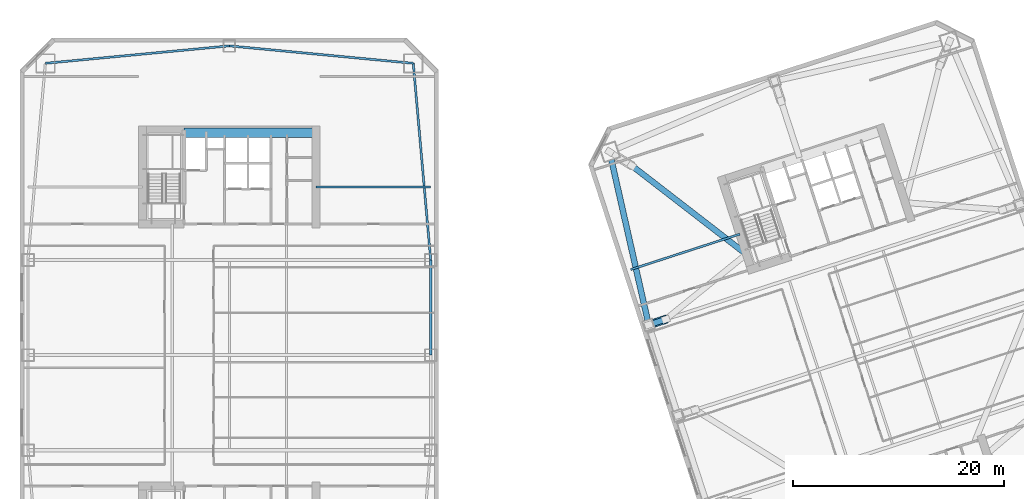
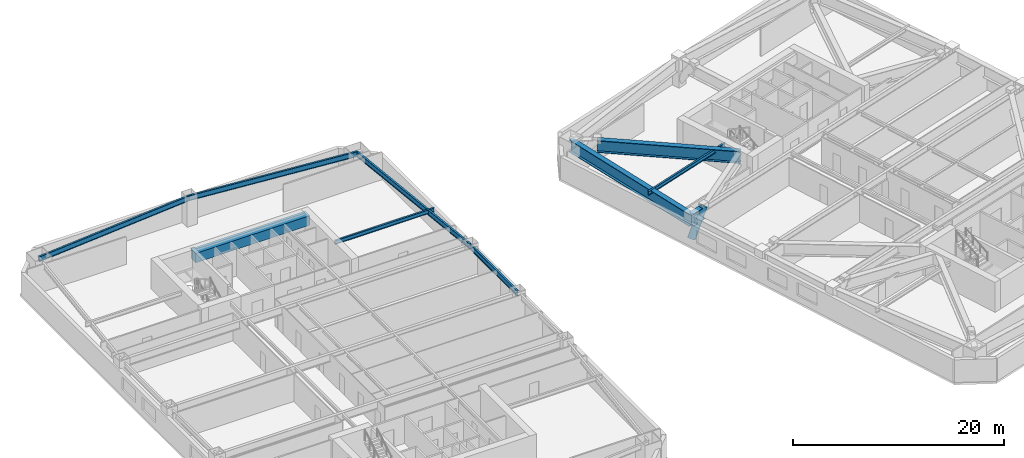
# One storey, part 5 of 18: 10 beams, 1 member.
"""IFC4 building model written with IfcOpenShell, lengths in metres."""

from ifc_helpers import new_model, si_unit, direction, frame, origin, origin_2d, place, context, subcontext, project, spatial, rectangle, hollow_circle, i_section, extrude, material, material_profile, profile_set, type_object, element, save


model = new_model("IFC4")

# Units and contexts
model_context = context("Model", 3, precision=1e-05, world=origin(), true_north=direction((0.0, 1.0)))
body_context = subcontext(model_context, "Body", "Model", "MODEL_VIEW")
ifc_project = project(units=[si_unit("LENGTHUNIT", "METRE"), si_unit("AREAUNIT", "SQUARE_METRE"), si_unit("VOLUMEUNIT", "CUBIC_METRE"), si_unit("PLANEANGLEUNIT", "RADIAN"), si_unit("MASSUNIT", "GRAM", prefix="KILO")], contexts=[model_context])

# Site, building, storey
site_placement = place(None, origin())
site = spatial("IfcSite", under=ifc_project, at=site_placement, CompositionType="ELEMENT")
building_placement = place(site_placement, origin())
building = spatial("IfcBuilding", under=site, at=building_placement, Name="Qiaolan Cultural Towers", CompositionType="ELEMENT")
storey_placement = place(building_placement, frame((0.0, 0.0, 74.75)))
storey = spatial("IfcBuildingStorey", under=building, at=storey_placement, Name="L18", CompositionType="ELEMENT", Elevation=74.75)

# Beams
ifc_material_1 = material(Name="Steel Q420GJB", Category="steel")
ifc_material_profile_1 = material_profile(ifc_material_1, i_section(OverallWidth=0.550048828125, OverallDepth=1.39990234375, WebThickness=0.031982421875, FlangeThickness=0.050048828125, at=origin_2d()), Name="BH1400x550x32x50")
ifc_profile_set_1 = profile_set([ifc_material_profile_1], Name="Steel Q420GJB")
beam_type_1 = type_object("IfcBeamType", Name="BM-BH1400x550x32x50", PredefinedType="BEAM", material=ifc_profile_set_1)
beam_1_placement = place(storey_placement, frame((68.069091796875, 51.919921875, 2.530029296875), z_axis=(0.791154491877, -0.611616358498, 0.0), x_axis=(0.611616358498, 0.791154491877, 0.0)))
element("IfcBeam", 1, at=beam_1_placement, inside=storey, type_object=beam_type_1, Name="L18 T2 Setback Transfer Girder MC-NW-B", PredefinedType="BEAM", context=body_context, shape_type="SweptSolid", body=[
    extrude(i_section(OverallWidth=0.550048828125, OverallDepth=1.39990234375, WebThickness=0.031982421875, FlangeThickness=0.050048828125, at=origin_2d()), origin(), (0.0, 0.0, 1.0), 13.70166015625),
])
beam_2_placement = place(storey_placement, frame((69.671875, 36.858154296875, 2.530029296875), z_axis=(0.951040401051, 0.309066587596, 0.0), x_axis=(-0.309066587596, 0.951040401051, 0.0)))
element("IfcBeam", 2, at=beam_2_placement, inside=storey, type_object=beam_type_1, Name="L18 T2 Setback Transfer Girder PC-W3-A", PredefinedType="BEAM", context=body_context, shape_type="SweptSolid", body=[
    extrude(i_section(OverallWidth=0.550048828125, OverallDepth=1.39990234375, WebThickness=0.031982421875, FlangeThickness=0.050048828125, at=origin_2d()), origin(), (0.0, 0.0, 1.0), 1.699951171875),
])
beam_3_placement = place(storey_placement, frame((65.972900390625, 53.22607421875, 2.489990234375), z_axis=(0.220430557386, -0.975402670373, 0.0), x_axis=(0.975402670373, 0.220430557386, 0.0)))
element("IfcBeam", 3, at=beam_3_placement, inside=storey, type_object=beam_type_1, Name="L18 T2 Perimeter Spandrel Beam 9", PredefinedType="BEAM", context=body_context, shape_type="SweptSolid", body=[
    extrude(i_section(OverallWidth=0.550048828125, OverallDepth=1.39990234375, WebThickness=0.031982421875, FlangeThickness=0.050048828125, at=origin_2d()), origin(), (0.0, 0.0, 1.0), 16.78076171875),
])
ifc_material_2 = material(Name="Steel Q355B", Category="steel")
ifc_material_profile_2 = material_profile(ifc_material_2, i_section(OverallWidth=0.199951171875, OverallDepth=0.449951171875, WebThickness=0.009033203125, FlangeThickness=0.013916015625, at=origin_2d()), Name="HN450x200x9x14")
ifc_profile_set_2 = profile_set([ifc_material_profile_2], Name="Steel Q355B")
beam_type_2 = type_object("IfcBeamType", Name="BM-LNT-HN450x200x9x14", PredefinedType="LINTEL", material=ifc_profile_set_2)
for number, where, z_axis, x_axis, name in (
    (4, (38.199951171875, 49.89990234375, 2.965087890625), (1.0, 0.0, 0.0), (0.0, 1.0, 0.0), "L18 T1 Core Flank Tie Lintel EN"),
    (5, (78.291259765625, 45.44189453125, 2.965087890625), (-0.951052421511, -0.309029596542, 0.0), (0.309029596542, -0.951052421511, 0.0), "L18 T2 Core Flank Tie Lintel WN"),
):
    element("IfcBeam", number, at=place(storey_placement, frame(where, z_axis=z_axis, x_axis=x_axis)), inside=storey, type_object=beam_type_2, Name=name, PredefinedType="LINTEL", context=body_context, shape_type="SweptSolid", body=[
        extrude(i_section(OverallWidth=0.199951171875, OverallDepth=0.449951171875, WebThickness=0.009033203125, FlangeThickness=0.013916015625, at=origin_2d()), origin(), (0.0, 0.0, 1.0), 10.85009765625),
    ])
ifc_material_3 = material(Name="Concrete C50", Category="concrete")
ifc_material_profile_3 = material_profile(ifc_material_3, rectangle(XDim=0.89990234375, YDim=1.10009765625, at=origin_2d()), Name="RC900x1100")
ifc_profile_set_3 = profile_set([ifc_material_profile_3], Name="Concrete C50")
beam_type_3 = type_object("IfcBeamType", Name="BM-RC900x1100", PredefinedType="BEAM", material=ifc_profile_set_3)
beam_4_placement = place(storey_placement, frame((25.719970703125, 55.050048828125, 2.639892578125), z_axis=(1.0, 0.0, 0.0), x_axis=(0.0, 1.0, 0.0)))
element("IfcBeam", 6, at=beam_4_placement, inside=storey, type_object=beam_type_3, Name="L18 T1 Core Header Girder N", PredefinedType="BEAM", context=body_context, shape_type="SweptSolid", body=[
    extrude(rectangle(XDim=0.89990234375, YDim=1.10009765625, at=origin_2d()), origin(), (0.0, 0.0, 1.0), 12.47998046875),
])
ifc_material_4 = material(Name="Steel Q355B", Category="steel")
ifc_material_profile_4 = material_profile(ifc_material_4, i_section(OverallWidth=0.199951171875, OverallDepth=0.60009765625, WebThickness=0.010986328125, FlangeThickness=0.01708984375, at=origin_2d()), Name="HN600x200x11x17")
ifc_profile_set_4 = profile_set([ifc_material_profile_4], Name="Steel Q355B")
beam_type_4 = type_object("IfcBeamType", Name="BM-SPD-HN600x200x11x17", PredefinedType="SPANDREL", material=ifc_profile_set_4)
beam_5_placement = place(storey_placement, frame((49.050048828125, 34.0, 2.889892578125), z_axis=(0.0, 1.0, 0.0), x_axis=(-1.0, 0.0, 0.0)))
element("IfcBeam", 7, at=beam_5_placement, inside=storey, type_object=beam_type_4, Name="L18 T1 Perimeter Spandrel Beam 5", PredefinedType="SPANDREL", context=body_context, shape_type="SweptSolid", body=[
    extrude(i_section(OverallWidth=0.199951171875, OverallDepth=0.60009765625, WebThickness=0.010986328125, FlangeThickness=0.01708984375, at=origin_2d()), origin(), (0.0, 0.0, 1.0), 9.0),
])
beam_6_placement = place(storey_placement, frame((49.050048828125, 43.0, 2.889892578125), z_axis=(-0.08837000091, 0.996087718496, 0.0), x_axis=(-0.996087718496, -0.08837000091, 0.0)))
element("IfcBeam", 8, at=beam_6_placement, inside=storey, type_object=beam_type_4, Name="L18 T1 Perimeter Spandrel Beam 6", PredefinedType="SPANDREL", context=body_context, shape_type="SweptSolid", body=[
    extrude(i_section(OverallWidth=0.199951171875, OverallDepth=0.60009765625, WebThickness=0.010986328125, FlangeThickness=0.01708984375, at=origin_2d()), origin(), (0.0, 0.0, 1.0), 18.673095703125),
])
for number, where, z_axis, x_axis, name in (
    (9, (47.39990234375, 61.60009765625, 2.889892578125), (-0.995534437156, 0.094399070104, 0.0), (-0.094399070104, -0.995534437156, 0.0), "L18 T1 Perimeter Spandrel Beam 7"),
    (10, (30.0, 63.25, 2.889892578125), (-0.995534437156, -0.094399070104, 0.0), (0.094399070104, -0.995534437156, 0.0), "L18 T1 Perimeter Spandrel Beam 8"),
):
    element("IfcBeam", number, at=place(storey_placement, frame(where, z_axis=z_axis, x_axis=x_axis)), inside=storey, type_object=beam_type_4, Name=name, PredefinedType="SPANDREL", context=body_context, shape_type="SweptSolid", body=[
        extrude(i_section(OverallWidth=0.199951171875, OverallDepth=0.60009765625, WebThickness=0.010986328125, FlangeThickness=0.01708984375, at=origin_2d()), origin(), (0.0, 0.0, 1.0), 17.47802734375),
    ])

# Member
ifc_material_5 = material(Name="Steel Q390GJB", Category="steel")
ifc_material_profile_5 = material_profile(ifc_material_5, hollow_circle(Radius=0.39990234375, WallThickness=0.0400390625, at=origin_2d()), Name="CHS800x40")
ifc_profile_set_5 = profile_set([ifc_material_profile_5], Name="Steel Q390GJB")
member_type = type_object("IfcMemberType", Name="MBR-BRC-CHS800x40", PredefinedType="BRACE", material=ifc_profile_set_5)
member_placement = place(storey_placement, frame((69.671875, 36.858154296875, 0.300048828125), z_axis=(0.477273205908, 0.155102980839, 0.864958584128), x_axis=(-0.309066587596, 0.951040401051, 0.0)))
element("IfcMember", 11, at=member_placement, inside=storey, type_object=member_type, Name="L18 T2 Setback Transfer Raker Strut PC-W3", PredefinedType="BRACE", context=body_context, shape_type="SweptSolid", body=[
    extrude(hollow_circle(Radius=0.39990234375, WallThickness=0.0400390625, at=origin_2d()), origin(), (0.0, 0.0, 1.0), 3.387451171875),
])

save(model, "model.ifc")
